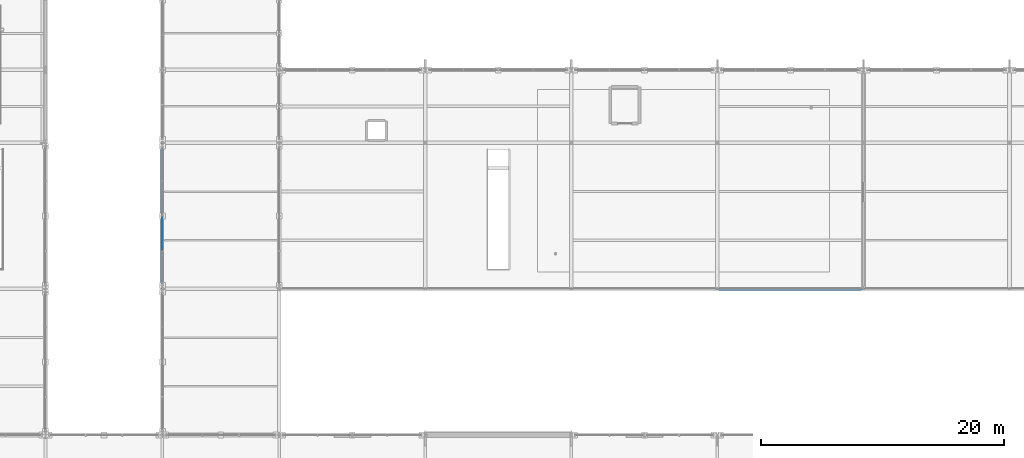
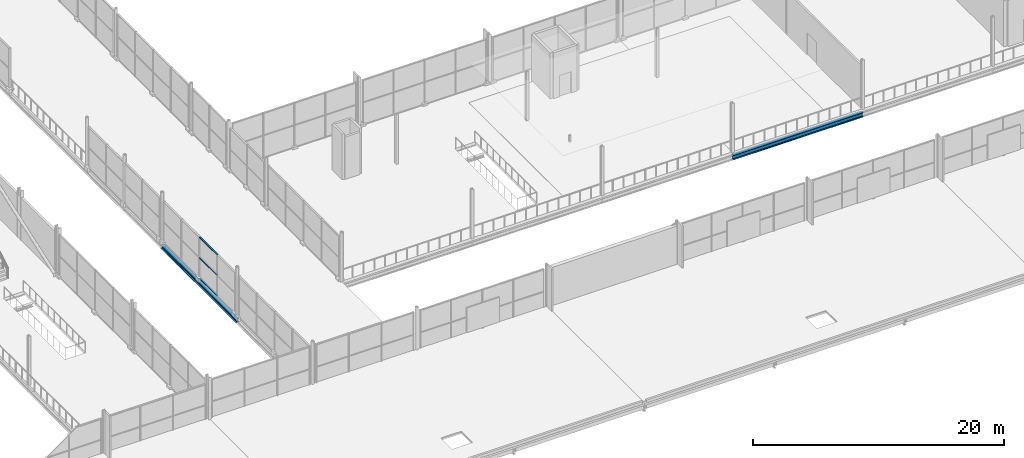
# One storey, part 53 of 159: 3 members, 2 beams, 1 element without a shape of its own.
"""IFC4 building model written with IfcOpenShell, lengths in metres."""

from ifc_helpers import new_model, si_unit, direction, frame, origin, origin_2d, place, context, subcontext, project, spatial, hollow_rectangle, i_section, extrude, material, material_profile, profile_set, type_object, element, aggregate, save


model = new_model("IFC4")

# Units and contexts
model_context = context("Model", 3, precision=1e-05, world=origin(), true_north=direction((0.0, 1.0)))
body_context = subcontext(model_context, "Body", "Model", "MODEL_VIEW")
ifc_project = project(units=[si_unit("LENGTHUNIT", "METRE"), si_unit("AREAUNIT", "SQUARE_METRE"), si_unit("VOLUMEUNIT", "CUBIC_METRE"), si_unit("PLANEANGLEUNIT", "RADIAN"), si_unit("MASSUNIT", "GRAM", prefix="KILO")], contexts=[model_context])

# Site, building, storey
site_placement = place(None, origin())
site = spatial("IfcSite", under=ifc_project, at=site_placement, CompositionType="ELEMENT")
building_placement = place(site_placement, origin())
building = spatial("IfcBuilding", under=site, at=building_placement, Name="Merenkruunu Market Hall", CompositionType="ELEMENT")
storey_placement = place(building_placement, frame((0.0, 0.0, 5.39990234375)))
storey = spatial("IfcBuildingStorey", under=building, at=storey_placement, Name="L01", CompositionType="ELEMENT", Elevation=5.39990234375)

# Curtain wall, members
ifc_material_1 = material(Name="Powder-coated aluminium", Category="aluminium")
curtain_wall_type = type_object("IfcCurtainWallType", Name="Glazed Curtain Wall CW16", PredefinedType="USERDEFINED", material=ifc_material_1)
curtain_wall_placement = place(storey_placement, origin())
curtain_wall = element("IfcCurtainWall", 1, at=curtain_wall_placement, inside=storey, type_object=curtain_wall_type, Name="CW-L01-CWM02-171", ObjectType="GLAZED_FACADE", PredefinedType="USERDEFINED")
ifc_material_profile_1 = material_profile(ifc_material_1, hollow_rectangle(XDim=0.06005859375, YDim=0.139892578125, WallThickness=0.00390625, at=origin_2d()), Name="ALU 60x140x4")
ifc_profile_set_1 = profile_set([ifc_material_profile_1], Name="Powder-coated aluminium")
member_type = type_object("IfcMemberType", Name="Curtain Wall Transom CWT02", PredefinedType="USERDEFINED", material=ifc_profile_set_1)
member_1_placement = place(storey_placement, frame((67.199951171875, 30.77001953125, 0.030029296875), z_axis=(0.0, 1.0, 0.0), x_axis=(0.0, 0.0, 1.0)))
member_1 = element("IfcMember", 2, at=member_1_placement, type_object=member_type, Name="CW16 transom 2.1", ObjectType="TRANSOM", PredefinedType="USERDEFINED", context=body_context, shape_type="SweptSolid", body=[
    extrude(hollow_rectangle(XDim=0.06005859375, YDim=0.139892578125, WallThickness=0.00390625, at=origin_2d()), origin(), (0.0, 0.0, 1.0), 2.800048828125),
])
member_2_placement = place(storey_placement, frame((67.199951171875, 30.77001953125, 2.025146484375), z_axis=(0.0, 1.0, 0.0), x_axis=(0.0, 0.0, 1.0)))
member_2 = element("IfcMember", 3, at=member_2_placement, type_object=member_type, Name="CW16 transom 2.2", ObjectType="TRANSOM", PredefinedType="USERDEFINED", context=body_context, shape_type="SweptSolid", body=[
    extrude(hollow_rectangle(XDim=0.06005859375, YDim=0.139892578125, WallThickness=0.00390625, at=origin_2d()), origin(), (0.0, 0.0, 1.0), 2.800048828125),
])
member_3_placement = place(storey_placement, frame((67.199951171875, 30.77001953125, 4.02001953125), z_axis=(0.0, 1.0, 0.0), x_axis=(0.0, 0.0, 1.0)))
member_3 = element("IfcMember", 4, at=member_3_placement, type_object=member_type, Name="CW16 transom 2.3", ObjectType="TRANSOM", PredefinedType="USERDEFINED", context=body_context, shape_type="SweptSolid", body=[
    extrude(hollow_rectangle(XDim=0.06005859375, YDim=0.139892578125, WallThickness=0.00390625, at=origin_2d()), origin(), (0.0, 0.0, 1.0), 2.800048828125),
])
aggregate(curtain_wall, [member_1, member_2, member_3])

# Beams
ifc_material_2 = material(Name="Steel S355J2", Category="steel")
ifc_material_profile_2 = material_profile(ifc_material_2, i_section(OverallWidth=0.300048828125, OverallDepth=0.449951171875, WebThickness=0.013916015625, FlangeThickness=0.02587890625, FilletRadius=0.027099609375, at=origin_2d()), Name="HEB 450")
ifc_profile_set_2 = profile_set([ifc_material_profile_2], Name="Steel S355J2")
beam_type_1 = type_object("IfcBeamType", Name="Primary Floor Girder B03", PredefinedType="BEAM", material=ifc_profile_set_2)
beam_1_placement = place(storey_placement, frame((112.800048828125, 27.60009765625, -0.5048828125), z_axis=(1.0, 0.0, 0.0), x_axis=(0.0, 1.0, 0.0)))
element("IfcBeam", 5, at=beam_1_placement, inside=storey, type_object=beam_type_1, Name="BM-L01-B03-0487", PredefinedType="BEAM", context=body_context, shape_type="SweptSolid", body=[
    extrude(i_section(OverallWidth=0.300048828125, OverallDepth=0.449951171875, WebThickness=0.013916015625, FlangeThickness=0.02587890625, FilletRadius=0.027099609375, at=origin_2d()), origin(), (0.0, 0.0, 1.0), 12.0),
])
ifc_material_profile_3 = material_profile(ifc_material_2, i_section(OverallWidth=0.300048828125, OverallDepth=0.35009765625, WebThickness=0.010009765625, FlangeThickness=0.017578125, FilletRadius=0.027099609375, at=origin_2d()), Name="HEA 360")
ifc_profile_set_3 = profile_set([ifc_material_profile_3], Name="Steel S355J2")
beam_type_2 = type_object("IfcBeamType", Name="Primary Floor Girder B08", PredefinedType="BEAM", material=ifc_profile_set_3)
beam_2_placement = place(storey_placement, frame((67.199951171875, 27.60009765625, -0.48486328125), z_axis=(0.0, 1.0, 0.0), x_axis=(-1.0, 0.0, 0.0)))
element("IfcBeam", 6, at=beam_2_placement, inside=storey, type_object=beam_type_2, Name="BM-L01-B08-0590", PredefinedType="BEAM", context=body_context, shape_type="SweptSolid", body=[
    extrude(i_section(OverallWidth=0.300048828125, OverallDepth=0.35009765625, WebThickness=0.010009765625, FlangeThickness=0.017578125, FilletRadius=0.027099609375, at=origin_2d()), origin(), (0.0, 0.0, 1.0), 12.0),
])

save(model, "model.ifc")
